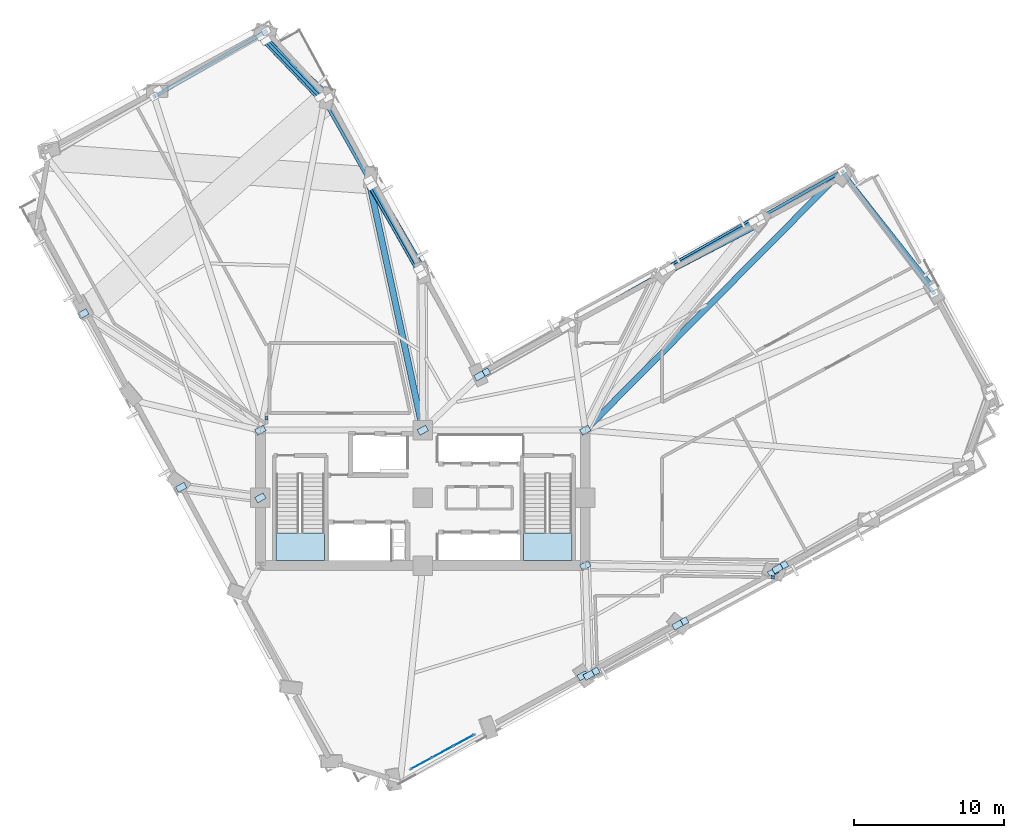
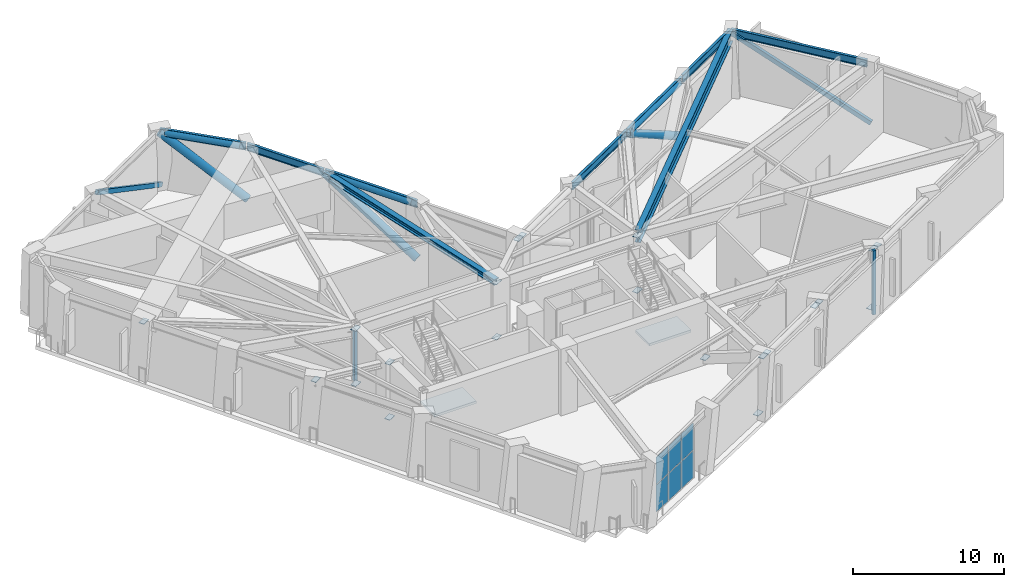
# One storey, part 5 of 15: 29 plates, 9 members, 8 beams, 2 slabs, 3 elements without a shape of their own.
"""IFC4 building model written with IfcOpenShell, lengths in metres."""

from ifc_helpers import new_model, si_unit, direction, frame, origin, origin_2d, place, context, subcontext, project, spatial, polyline, rectangle, hollow_rectangle, hollow_circle, i_section, outline, extrude, material, layer, layer_set, material_profile, profile_set, type_object, element, aggregate, save


model = new_model("IFC4")

# Units and contexts
model_context = context("Model", 3, precision=1e-05, world=origin(), true_north=direction((0.0, 1.0)))
body_context = subcontext(model_context, "Body", "Model", "MODEL_VIEW")
ifc_project = project(units=[si_unit("LENGTHUNIT", "METRE"), si_unit("AREAUNIT", "SQUARE_METRE"), si_unit("VOLUMEUNIT", "CUBIC_METRE"), si_unit("PLANEANGLEUNIT", "RADIAN"), si_unit("MASSUNIT", "GRAM", prefix="KILO")], contexts=[model_context])

# Site, building, storey
site_placement = place(None, origin())
site = spatial("IfcSite", under=ifc_project, at=site_placement, CompositionType="ELEMENT")
building_placement = place(site_placement, origin())
building = spatial("IfcBuilding", under=site, at=building_placement, Name="Gaonmaruhae Medical Tower", CompositionType="ELEMENT")
storey_placement = place(building_placement, frame((0.0, 0.0, 144.39990234375)))
storey = spatial("IfcBuildingStorey", under=building, at=storey_placement, Name="L34", CompositionType="ELEMENT", Elevation=144.39990234375)

# Beam
ifc_material_1 = material(Name="Steel SM420", Category="steel")
ifc_material_profile_1 = material_profile(ifc_material_1, i_section(OverallWidth=0.39990234375, OverallDepth=1.0, WebThickness=0.02197265625, FlangeThickness=0.035888671875, at=origin_2d()), Name="BH-1000x400x22x36")
ifc_profile_set_1 = profile_set([ifc_material_profile_1], Name="Steel SM420")
beam_type_1 = type_object("IfcBeamType", Name="BG-02 Refuge Floor Primary Girder (BH-1000x400x22x36)", PredefinedType="BEAM", material=ifc_profile_set_1)
beam_1_placement = place(storey_placement, frame((35.63525390625, 16.83544921875, 4.68017578125), z_axis=(0.704169824405, 0.710031589718, 0.0), x_axis=(-0.710031589718, 0.704169824405, 0.0)))
element("IfcBeam", 1, at=beam_1_placement, inside=storey, type_object=beam_type_1, Name="L34 Radial Primary Girder E03", PredefinedType="BEAM", context=body_context, shape_type="SweptSolid", body=[
    extrude(i_section(OverallWidth=0.39990234375, OverallDepth=1.0, WebThickness=0.02197265625, FlangeThickness=0.035888671875, at=origin_2d()), origin(), (0.0, 0.0, 1.0), 24.15673828125),
])

# Members
ifc_material_2 = material(Name="Steel HSA650 (650 MPa)", Category="steel")
ifc_material_profile_2 = material_profile(ifc_material_2, hollow_circle(Radius=0.25390625, WallThickness=0.01611328125, at=origin_2d()), Name="CHS-508.0x16.0")
ifc_profile_set_2 = profile_set([ifc_material_profile_2], Name="Steel HSA650 (650 MPa)")
member_type_1 = type_object("IfcMemberType", Name="BT-C1 Belt Truss Perimeter Chord (CHS-508.0x16.0)", PredefinedType="CHORD", material=ifc_profile_set_2)
member_1_placement = place(storey_placement, frame((46.78564453125, 30.694580078125, 4.830078125), z_axis=(-0.870782957433, -0.491667612361, 0.0), x_axis=(0.491667612361, -0.870782957433, 0.0)))
element("IfcMember", 2, at=member_1_placement, inside=storey, type_object=member_type_1, Name="L34 Belt Truss Top Chord BTC04", PredefinedType="CHORD", context=body_context, shape_type="SweptSolid", body=[
    extrude(hollow_circle(Radius=0.25390625, WallThickness=0.01611328125, at=origin_2d()), origin(), (0.0, 0.0, 1.0), 6.35986328125),
])
member_2_placement = place(storey_placement, frame((24.543212890625, 27.518310546875, 4.830078125), z_axis=(-0.491651177744, 0.870792236658, 0.0), x_axis=(-0.870792236658, -0.491651177744, 0.0)))
element("IfcMember", 3, at=member_2_placement, inside=storey, type_object=member_type_1, Name="L34 Belt Truss Top Chord BTC06", PredefinedType="CHORD", context=body_context, shape_type="SweptSolid", body=[
    extrude(hollow_circle(Radius=0.25390625, WallThickness=0.01611328125, at=origin_2d()), origin(), (0.0, 0.0, 1.0), 6.360107421875),
])
member_3_placement = place(storey_placement, frame((17.968994140625, 38.949951171875, 4.830078125), z_axis=(-0.692544534569, 0.721375122692, 0.0), x_axis=(-0.721375122692, -0.692544534569, 0.0)))
element("IfcMember", 4, at=member_3_placement, inside=storey, type_object=member_type_1, Name="L34 Belt Truss Top Chord BTC07", PredefinedType="CHORD", context=body_context, shape_type="SweptSolid", body=[
    extrude(hollow_circle(Radius=0.25390625, WallThickness=0.01611328125, at=origin_2d()), origin(), (0.0, 0.0, 1.0), 5.199462890625),
])
ifc_material_profile_3 = material_profile(ifc_material_2, hollow_circle(Radius=0.3046875, WallThickness=0.02197265625, at=origin_2d()), Name="CHS-609.6x22.0")
ifc_profile_set_3 = profile_set([ifc_material_profile_3], Name="Steel HSA650 (650 MPa)")
member_type_2 = type_object("IfcMemberType", Name="BT-D2 Belt Truss Diagonal Tubular (CHS-609.6x22.0)", PredefinedType="BRACE", material=ifc_profile_set_3)
member_4_placement = place(storey_placement, frame((47.250732421875, 30.675537109375, 0.35009765625), z_axis=(-0.752589738332, -0.391642068675, 0.529362990585), x_axis=(0.461626795452, -0.887074236871, 0.0)))
element("IfcMember", 5, at=member_4_placement, inside=storey, type_object=member_type_2, Name="L34 Belt Truss Diagonal BTD04", PredefinedType="BRACE", context=body_context, shape_type="SweptSolid", body=[
    extrude(hollow_circle(Radius=0.3046875, WallThickness=0.02197265625, at=origin_2d()), origin(), (0.0, 0.0, 1.0), 8.462890625),
])
member_5_placement = place(storey_placement, frame((24.7900390625, 27.299072265625, 0.35009765625), z_axis=(-0.426762551288, 0.729876000604, 0.53399882824), x_axis=(-0.863262877102, -0.504754598808, 0.0)))
element("IfcMember", 6, at=member_5_placement, inside=storey, type_object=member_type_2, Name="L34 Belt Truss Diagonal BTD06", PredefinedType="BRACE", context=body_context, shape_type="SweptSolid", body=[
    extrude(hollow_circle(Radius=0.3046875, WallThickness=0.02197265625, at=origin_2d()), origin(), (0.0, 0.0, 1.0), 8.389404296875),
])
member_6_placement = place(storey_placement, frame((18.491455078125, 38.8994140625, 0.35009765625), z_axis=(-0.587763591957, 0.546509609756, 0.596541034979), x_axis=(-0.680938790759, -0.732340332932, 0.0)))
element("IfcMember", 7, at=member_6_placement, inside=storey, type_object=member_type_2, Name="L34 Belt Truss Diagonal BTD07", PredefinedType="BRACE", context=body_context, shape_type="SweptSolid", body=[
    extrude(hollow_circle(Radius=0.3046875, WallThickness=0.02197265625, at=origin_2d()), origin(), (0.0, 0.0, 1.0), 7.510009765625),
])
ifc_material_profile_4 = material_profile(ifc_material_2, i_section(OverallWidth=0.4169921875, OverallDepth=0.4580078125, WebThickness=0.030029296875, FlangeThickness=0.050048828125, FilletRadius=0.02197265625, at=origin_2d()), Name="H-458x417x30x50")
ifc_profile_set_4 = profile_set([ifc_material_profile_4], Name="Steel HSA650 (650 MPa)")
member_type_3 = type_object("IfcMemberType", Name="OT-C1 Outrigger Truss Chord (H-458x417x30x50)", PredefinedType="CHORD", material=ifc_profile_set_4)
member_7_placement = place(storey_placement, frame((24.800048828125, 16.800048828125, 4.830078125), z_axis=(-0.211125946723, 0.977458865948, 0.0), x_axis=(-0.977458865948, -0.211125946723, 0.0)))
element("IfcMember", 8, at=member_7_placement, inside=storey, type_object=member_type_3, Name="L34 Outrigger Truss Chord OTC06", PredefinedType="CHORD", context=body_context, shape_type="SweptSolid", body=[
    extrude(i_section(OverallWidth=0.4169921875, OverallDepth=0.4580078125, WebThickness=0.030029296875, FlangeThickness=0.050048828125, FilletRadius=0.02197265625, at=origin_2d()), origin(), (0.0, 0.0, 1.0), 17.005615234375),
])

# Beams
ifc_material_3 = material(Name="Steel SM355", Category="steel")
ifc_material_profile_5 = material_profile(ifc_material_3, i_section(OverallWidth=0.199951171875, OverallDepth=0.60009765625, WebThickness=0.010986328125, FlangeThickness=0.01708984375, FilletRadius=0.012939453125, at=origin_2d()), Name="H-600x200x11x17")
ifc_profile_set_5 = profile_set([ifc_material_profile_5], Name="Steel SM355")
beam_type_2 = type_object("IfcBeamType", Name="SP-01 Lower Perimeter Spandrel Beam (H-600x200x11x17)", PredefinedType="SPANDREL", material=ifc_profile_set_5)
beam_2_placement = place(storey_placement, frame((58.7314453125, 26.345458984375, 4.880126953125), z_axis=(-0.618971623731, 0.785413349146, 0.0), x_axis=(-0.785413349146, -0.618971623731, 0.0)))
element("IfcBeam", 9, at=beam_2_placement, inside=storey, type_object=beam_type_2, Name="L34 Perimeter Spandrel Beam E02-E03", PredefinedType="SPANDREL", context=body_context, shape_type="SweptSolid", body=[
    extrude(i_section(OverallWidth=0.199951171875, OverallDepth=0.60009765625, WebThickness=0.010986328125, FlangeThickness=0.01708984375, FilletRadius=0.012939453125, at=origin_2d()), origin(), (0.0, 0.0, 1.0), 9.7353515625),
])
beam_3_placement = place(storey_placement, frame((52.64599609375, 34.00341796875, 4.880126953125), z_axis=(-0.870778868311, -0.491674854454, 0.0), x_axis=(0.491674854454, -0.870778868311, 0.0)))
element("IfcBeam", 10, at=beam_3_placement, inside=storey, type_object=beam_type_2, Name="L34 Perimeter Spandrel Beam E03-EN01", PredefinedType="SPANDREL", context=body_context, shape_type="SweptSolid", body=[
    extrude(i_section(OverallWidth=0.199951171875, OverallDepth=0.60009765625, WebThickness=0.010986328125, FlangeThickness=0.01708984375, FilletRadius=0.012939453125, at=origin_2d()), origin(), (0.0, 0.0, 1.0), 6.27001953125),
])
for number, where, z_axis, x_axis, name in (
    (11, (47.116455078125, 30.88134765625, 4.860107421875), (-0.870793291497, -0.49164930945, 0.0), (0.49164930945, -0.870793291497, 0.0), "L34 Perimeter Spandrel Beam EN01-EN02"),
    (12, (40.846923828125, 27.34130859375, 4.860107421875), (-0.870793291497, -0.49164930945, 0.0), (0.49164930945, -0.870793291497, 0.0), "L34 Perimeter Spandrel Beam EN02-EN03"),
    (13, (24.72998046875, 27.1875, 4.880126953125), (-0.49164930945, 0.870793291497, 0.0), (-0.870793291497, -0.49164930945, 0.0), "L34 Perimeter Spandrel Beam NE01-NE02"),
):
    element("IfcBeam", number, at=place(storey_placement, frame(where, z_axis=z_axis, x_axis=x_axis)), inside=storey, type_object=beam_type_2, Name=name, PredefinedType="SPANDREL", context=body_context, shape_type="SweptSolid", body=[
        extrude(i_section(OverallWidth=0.199951171875, OverallDepth=0.60009765625, WebThickness=0.010986328125, FlangeThickness=0.01708984375, FilletRadius=0.012939453125, at=origin_2d()), origin(), (0.0, 0.0, 1.0), 7.119873046875),
    ])
beam_4_placement = place(storey_placement, frame((21.18994140625, 33.45703125, 4.860107421875), z_axis=(-0.491664480311, 0.870784725865, 0.0), x_axis=(-0.870784725865, -0.491664480311, 0.0)))
element("IfcBeam", 14, at=beam_4_placement, inside=storey, type_object=beam_type_2, Name="L34 Perimeter Spandrel Beam NE02-NE03", PredefinedType="SPANDREL", context=body_context, shape_type="SweptSolid", body=[
    extrude(i_section(OverallWidth=0.199951171875, OverallDepth=0.60009765625, WebThickness=0.010986328125, FlangeThickness=0.01708984375, FilletRadius=0.012939453125, at=origin_2d()), origin(), (0.0, 0.0, 1.0), 5.919921875),
])
beam_5_placement = place(storey_placement, frame((18.23193359375, 38.67578125, 4.860107421875), z_axis=(-0.692538650627, 0.721380771429, 0.0), x_axis=(-0.721380771429, -0.692538650627, 0.0)))
element("IfcBeam", 15, at=beam_5_placement, inside=storey, type_object=beam_type_2, Name="L34 Perimeter Spandrel Beam NE03-N01", PredefinedType="SPANDREL", context=body_context, shape_type="SweptSolid", body=[
    extrude(i_section(OverallWidth=0.199951171875, OverallDepth=0.60009765625, WebThickness=0.010986328125, FlangeThickness=0.01708984375, FilletRadius=0.012939453125, at=origin_2d()), origin(), (0.0, 0.0, 1.0), 5.959228515625),
])

# Members
ifc_material_profile_6 = material_profile(ifc_material_3, hollow_rectangle(XDim=0.25, YDim=0.35009765625, WallThickness=0.011962890625, at=origin_2d()), Name="RHS-350x250x12")
ifc_profile_set_6 = profile_set([ifc_material_profile_6], Name="Steel SM355")
member_type_4 = type_object("IfcMemberType", Name="ST-M2 Refuge Core Bracing Strut (RHS-350x250x12)", PredefinedType="STRUT", material=ifc_profile_set_6)
member_8_placement = place(storey_placement, frame((58.77783203125, 25.896728515625, 0.300048828125), z_axis=(-0.547103077302, 0.729222481523, 0.410990018428), x_axis=(-0.799901942094, -0.600130721622, 0.0)))
element("IfcMember", 16, at=member_8_placement, inside=storey, type_object=member_type_4, Name="L34 Refuge Solid-Bay Bracing Strut 1", PredefinedType="STRUT", context=body_context, shape_type="SweptSolid", body=[
    extrude(hollow_rectangle(XDim=0.25, YDim=0.35009765625, WallThickness=0.011962890625, at=origin_2d()), origin(), (0.0, 0.0, 1.0), 11.14404296875),
])
member_9_placement = place(storey_placement, frame((14.3818359375, 43.32470703125, 0.300048828125), z_axis=(-0.762422701186, -0.445767506376, 0.469044725987), x_axis=(0.504733266112, -0.863275350094, 0.0)))
element("IfcMember", 17, at=member_9_placement, inside=storey, type_object=member_type_4, Name="L34 Refuge Solid-Bay Bracing Strut 2", PredefinedType="STRUT", context=body_context, shape_type="SweptSolid", body=[
    extrude(hollow_rectangle(XDim=0.25, YDim=0.35009765625, WallThickness=0.011962890625, at=origin_2d()), origin(), (0.0, 0.0, 1.0), 9.7646484375),
])

# Curtain wall, plates
ifc_material_4 = material(Name="Anodised aluminium and Low-E double glazing", Category="aluminium")
curtain_wall_type = type_object("IfcCurtainWallType", Name="CW-S2 Express Sky Lobby Feature Curtain Wall", PredefinedType="NOTDEFINED", material=ifc_material_4)
curtain_wall_placement = place(storey_placement, origin())
curtain_wall = element("IfcCurtainWall", 18, at=curtain_wall_placement, inside=storey, type_object=curtain_wall_type, Name="L34 Curtain Wall CW-L34-S01", PredefinedType="NOTDEFINED")
ifc_material_5 = material(Name="Low-E double solar glass", Category="glass")
ifc_layer_1 = layer(ifc_material_5, 0.028076171875)
ifc_layer_set_1 = layer_set([ifc_layer_1], Name="Low-E double solar glass")
plate_type_1 = type_object("IfcPlateType", Name="CWP-V1 Low-E Double Vision Glazing Panel", PredefinedType="CURTAIN_PANEL", material=ifc_layer_set_1)
plate_1_placement = place(storey_placement, frame((27.501953125, -3.8291015625, 0.065185546875), z_axis=(0.0, 0.0, 1.0), x_axis=(-0.878811459426, -0.477169172077, 0.0)))
plate_1 = element("IfcPlate", 19, at=plate_1_placement, type_object=plate_type_1, Name="CW-S2 panel 1.1", PredefinedType="CURTAIN_PANEL", context=body_context, shape_type="SweptSolid", body=[
    extrude(rectangle(XDim=1.505126953125, YDim=0.028076171875, at=origin_2d()), origin(), (0.0, 0.0, 1.0), 2.18505859375),
])
plate_2_placement = place(storey_placement, frame((27.501953125, -3.8291015625, 2.315185546875), z_axis=(0.0, 0.0, 1.0), x_axis=(-0.878811459426, -0.477169172077, 0.0)))
plate_2 = element("IfcPlate", 20, at=plate_2_placement, type_object=plate_type_1, Name="CW-S2 panel 1.2", PredefinedType="CURTAIN_PANEL", context=body_context, shape_type="SweptSolid", body=[
    extrude(rectangle(XDim=1.505126953125, YDim=0.028076171875, at=origin_2d()), origin(), (0.0, 0.0, 1.0), 2.18505859375),
])
plate_3_placement = place(storey_placement, frame((26.096923828125, -4.592041015625, 0.065185546875), z_axis=(0.0, 0.0, 1.0), x_axis=(-0.878811459426, -0.477169172077, 0.0)))
plate_3 = element("IfcPlate", 21, at=plate_3_placement, type_object=plate_type_1, Name="CW-S2 panel 2.1", PredefinedType="CURTAIN_PANEL", context=body_context, shape_type="SweptSolid", body=[
    extrude(rectangle(XDim=1.54248046875, YDim=0.028076171875, at=origin_2d()), origin(), (0.0, 0.0, 1.0), 2.18505859375),
])
plate_4_placement = place(storey_placement, frame((26.096923828125, -4.592041015625, 2.315185546875), z_axis=(0.0, 0.0, 1.0), x_axis=(-0.878811459426, -0.477169172077, 0.0)))
plate_4 = element("IfcPlate", 22, at=plate_4_placement, type_object=plate_type_1, Name="CW-S2 panel 2.2", PredefinedType="CURTAIN_PANEL", context=body_context, shape_type="SweptSolid", body=[
    extrude(rectangle(XDim=1.54248046875, YDim=0.028076171875, at=origin_2d()), origin(), (0.0, 0.0, 1.0), 2.18505859375),
])
plate_5_placement = place(storey_placement, frame((24.69189453125, -5.354736328125, 0.065185546875), z_axis=(0.0, 0.0, 1.0), x_axis=(-0.878811459426, -0.477169172077, 0.0)))
plate_5 = element("IfcPlate", 23, at=plate_5_placement, type_object=plate_type_1, Name="CW-S2 panel 3.1", PredefinedType="CURTAIN_PANEL", context=body_context, shape_type="SweptSolid", body=[
    extrude(rectangle(XDim=1.505126953125, YDim=0.028076171875, at=origin_2d()), origin(), (0.0, 0.0, 1.0), 2.18505859375),
])
plate_6_placement = place(storey_placement, frame((24.69189453125, -5.354736328125, 2.315185546875), z_axis=(0.0, 0.0, 1.0), x_axis=(-0.878811459426, -0.477169172077, 0.0)))
plate_6 = element("IfcPlate", 24, at=plate_6_placement, type_object=plate_type_1, Name="CW-S2 panel 3.2", PredefinedType="CURTAIN_PANEL", context=body_context, shape_type="SweptSolid", body=[
    extrude(rectangle(XDim=1.505126953125, YDim=0.028076171875, at=origin_2d()), origin(), (0.0, 0.0, 1.0), 2.18505859375),
])
aggregate(curtain_wall, [plate_1, plate_2, plate_3, plate_4, plate_5, plate_6])

# Plates
ifc_layer_2 = layer(ifc_material_2, 0.035888671875)
ifc_layer_set_2 = layer_set([ifc_layer_2], Name="Steel HSA650 (650 MPa)")
plate_type_2 = type_object("IfcPlateType", Name="GP-01 Outrigger Gusset & End Cap Plate", PredefinedType="USERDEFINED", material=ifc_layer_set_2)
for number, where, z_axis, x_axis, name in (
    (25, (35.60009765625, 7.800048828125, 0.33203125), (0.0, 0.0, 1.0), (0.878817112662, 0.47715876026, 0.0), "L34 Gusset Cap Plate PLT-L34-OTD01A"),
    (26, (35.831787109375, 0.50830078125, 4.81201171875), (0.0, 0.0, 1.0), (0.8707850851, 0.491663844071, 0.0), "L34 Gusset Cap Plate PLT-L34-OTD01B"),
    (27, (48.37109375, 7.58837890625, 4.81201171875), (0.0, 0.0, 1.0), (0.8707850851, 0.491663844071, 0.0), "L34 Gusset Cap Plate PLT-L34-OTD02B"),
    (28, (35.60009765625, 16.800048828125, 0.33203125), (0.0, 0.0, 1.0), (0.878817112662, 0.47715876026, 0.0), "L34 Gusset Cap Plate PLT-L34-OTD03A"),
    (29, (35.60009765625, 16.800048828125, 4.81201171875), (0.0, 0.0, 1.0), (0.8707850851, 0.491663844071, 0.0), "L34 Gusset Cap Plate PLT-L34-OTC04A"),
    (30, (24.800048828125, 16.800048828125, 0.33203125), (0.0, 0.0, 1.0), (0.878817112662, 0.47715876026, 0.0), "L34 Gusset Cap Plate PLT-L34-OTD05A"),
    (31, (24.800048828125, 16.800048828125, 4.81201171875), (0.0, 0.0, 1.0), (0.8707850851, 0.491663844071, 0.0), "L34 Gusset Cap Plate PLT-L34-OTC06A"),
    (32, (14.0, 16.800048828125, 0.33203125), (0.0, 0.0, 1.0), (0.878817112662, 0.47715876026, 0.0), "L34 Gusset Cap Plate PLT-L34-OTD07A"),
    (33, (2.2236328125, 24.539794921875, 4.81201171875), (0.0, 0.0, 1.0), (0.8707850851, 0.491663844071, 0.0), "L34 Gusset Cap Plate PLT-L34-OTD07B"),
    (34, (14.0, 16.800048828125, 4.81201171875), (0.0, 0.0, 1.0), (0.8707850851, 0.491663844071, 0.0), "L34 Gusset Cap Plate PLT-L34-OTC07A"),
    (35, (14.0, 12.300048828125, 0.33203125), (0.0, 0.0, 1.0), (0.878817112662, 0.47715876026, 0.0), "L34 Gusset Cap Plate PLT-L34-OTD08A"),
    (36, (8.73828125, 13.001953125, 4.81201171875), (0.0, 0.0, 1.0), (0.8707850851, 0.491663844071, 0.0), "L34 Gusset Cap Plate PLT-L34-OTD08B"),
    (37, (14.0, 12.300048828125, 4.81201171875), (0.0, 0.0, 1.0), (0.8707850851, 0.491663844071, 0.0), "L34 Gusset Cap Plate PLT-L34-OTC08A"),
    (38, (35.4287109375, 0.474853515625, 0.33203125), (0.0, 0.0, 1.0), (0.878817112662, 0.47715876026, 0.0), "L34 Gusset Cap Plate PLT-L34-BTD01A"),
    (39, (42.101318359375, 4.04833984375, 4.81201171875), (0.0, 0.0, 1.0), (0.8707850851, 0.491663844071, 0.0), "L34 Gusset Cap Plate PLT-L34-BTD01B"),
    (40, (36.197509765625, 0.71484375, 4.81201171875), (0.0, 0.0, 1.0), (0.8707850851, 0.491663844071, 0.0), "L34 Gusset Cap Plate PLT-L34-BTC01A"),
    (41, (41.735595703125, 3.841796875, 4.81201171875), (0.0, 0.0, 1.0), (0.8707850851, 0.491663844071, 0.0), "L34 Gusset Cap Plate PLT-L34-BTC01B"),
    (42, (48.08349609375, 7.345703125, 0.33203125), (0.0, 0.0, 1.0), (0.878817112662, 0.47715876026, 0.0), "L34 Gusset Cap Plate PLT-L34-BTD02A"),
    (43, (48.73681640625, 7.794921875, 4.81201171875), (0.0, 0.0, 1.0), (0.8707850851, 0.491663844071, 0.0), "L34 Gusset Cap Plate PLT-L34-BTC02A"),
    (44, (28.56005859375, 20.404052734375, 4.81201171875), (0.0, 0.0, 1.0), (0.8707850851, 0.491663844071, 0.0), "L34 Gusset Cap Plate PLT-L34-BTD05B"),
    (45, (28.92578125, 20.610595703125, 4.81201171875), (0.0, 0.0, 1.0), (0.8707850851, 0.491663844071, 0.0), "L34 Gusset Cap Plate PLT-L34-BTC05B"),
):
    element("IfcPlate", number, at=place(storey_placement, frame(where, z_axis=z_axis, x_axis=x_axis)), inside=storey, type_object=plate_type_2, Name=name, ObjectType="GUSSET_PLATE", PredefinedType="USERDEFINED", context=body_context, shape_type="SweptSolid", body=[
        extrude(rectangle(XDim=0.64990234375, YDim=0.419921875, at=origin_2d()), origin(), (0.0, 0.0, 1.0), 0.035888671875),
    ])
ifc_material_6 = material(Name="Anodised aluminium 6063-T6", Category="aluminium")
ifc_layer_3 = layer(ifc_material_6, 0.011962890625)
ifc_layer_set_3 = layer_set([ifc_layer_3], Name="Anodised aluminium 6063-T6")
plate_type_3 = type_object("IfcPlateType", Name="PP-01 Interior Partition Corner Stiffener Plate", PredefinedType="SHEET", material=ifc_layer_set_3)
plate_7_placement = place(storey_placement, frame((48.06201171875, 7.012939453125, 0.0), z_axis=(0.0, 0.0, 1.0), x_axis=(0.999860219806, -0.016719475173, 0.0)))
element("IfcPlate", 46, at=plate_7_placement, inside=storey, type_object=plate_type_3, Name="L34 Partition Corner Stiffener Plate PLT-L34-JGP-PW022", PredefinedType="SHEET", context=body_context, shape_type="SweptSolid", body=[
    extrude(rectangle(XDim=0.219970703125, YDim=0.219970703125, at=origin_2d()), origin(), (0.0, 0.0, 1.0), 5.179931640625),
])
plate_8_placement = place(storey_placement, frame((14.39990234375, 17.58447265625, 0.0), z_axis=(0.0, 0.0, 1.0), x_axis=(0.0, -1.0, 0.0)))
element("IfcPlate", 47, at=plate_8_placement, inside=storey, type_object=plate_type_3, Name="L34 Partition Corner Stiffener Plate PLT-L34-JGP-PW054", PredefinedType="SHEET", context=body_context, shape_type="SweptSolid", body=[
    extrude(rectangle(XDim=0.219970703125, YDim=0.219970703125, at=origin_2d()), origin(), (0.0, 0.0, 1.0), 4.14501953125),
])

# Stair, slab
ifc_material_7 = material(Name="Concrete C40/50", Category="concrete")
stair_type = type_object("IfcStairType", Name="ST-T1 Primary Core Escape Dogleg Stair", PredefinedType="TWO_QUARTER_TURN_STAIR", material=ifc_material_7)
stair_1_placement = place(storey_placement, origin())
stair_1 = element("IfcStair", 48, at=stair_1_placement, inside=storey, type_object=stair_type, Name="L34 Protected Escape Stair ST-01", PredefinedType="TWO_QUARTER_TURN_STAIR")
ifc_layer_4 = layer(ifc_material_7, 0.199951171875)
ifc_layer_set_4 = layer_set([ifc_layer_4], Name="Concrete C40/50")
slab_type = type_object("IfcSlabType", Name="SL-200 Stair & Ramp Intermediate Concrete Landing", PredefinedType="LANDING", material=ifc_layer_set_4)
slab_1_placement = place(storey_placement, frame((0.0, 0.0, 2.5)))
slab_1 = element("IfcSlab", 49, at=slab_1_placement, type_object=slab_type, Name="ST-01 landing 1", PredefinedType="LANDING", context=body_context, shape_type="SweptSolid", body=[
    extrude(outline(polyline([(15.050048828125, 9.97998046875), (15.050048828125, 8.12890625), (18.25, 8.12890625), (18.25, 9.97998046875), (15.050048828125, 9.97998046875)])), origin(), (0.0, 0.0, 1.0), 0.2001953125),
])
aggregate(stair_1, [slab_1])

stair_2_placement = place(storey_placement, origin())
stair_2 = element("IfcStair", 50, at=stair_2_placement, inside=storey, type_object=stair_type, Name="L34 Protected Escape Stair ST-02", PredefinedType="TWO_QUARTER_TURN_STAIR")
slab_2_placement = place(storey_placement, frame((0.0, 0.0, 2.5)))
slab_2 = element("IfcSlab", 51, at=slab_2_placement, type_object=slab_type, Name="ST-02 landing 1", PredefinedType="LANDING", context=body_context, shape_type="SweptSolid", body=[
    extrude(outline(polyline([(31.5, 9.97998046875), (31.5, 8.12890625), (34.699951171875, 8.12890625), (34.699951171875, 9.97998046875), (31.5, 9.97998046875)])), origin(), (0.0, 0.0, 1.0), 0.2001953125),
])
aggregate(stair_2, [slab_2])

save(model, "model.ifc")
